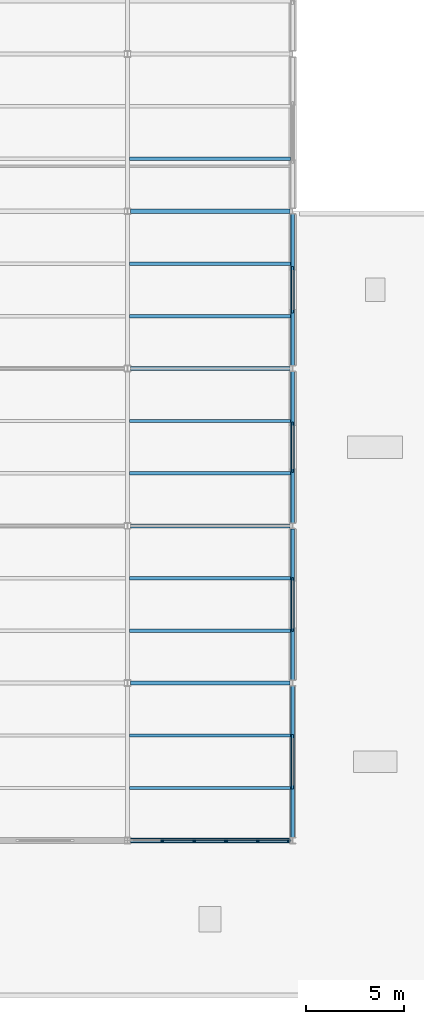
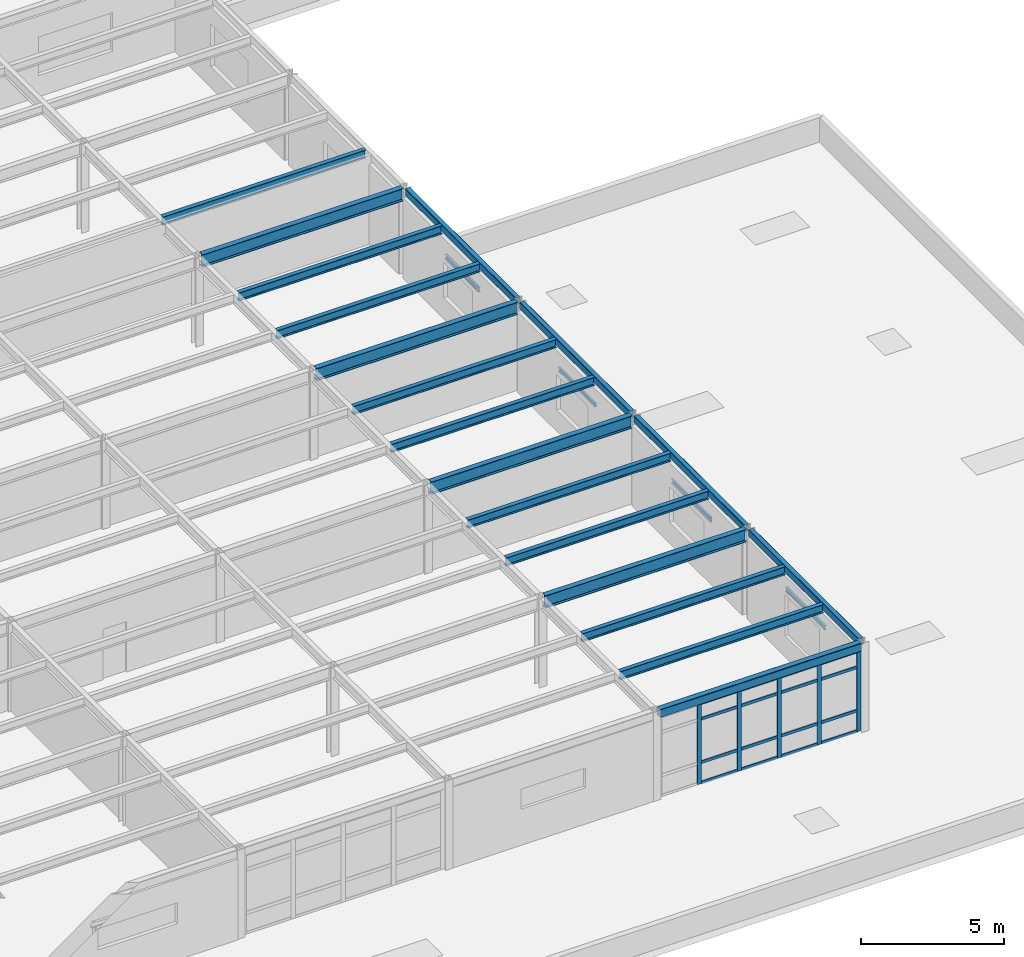
# One storey, part 50 of 138: 22 beams, 21 members, 1 element without a shape of its own.
"""IFC4 building model written with IfcOpenShell, lengths in metres."""

from ifc_helpers import new_model, si_unit, direction, frame, origin, origin_2d, place, context, subcontext, project, spatial, rectangle, hollow_rectangle, i_section, u_section, extrude, material, layer, layer_set, material_profile, profile_set, type_object, element, aggregate, save


model = new_model("IFC4")

# Units and contexts
model_context = context("Model", 3, precision=1e-05, world=origin(), true_north=direction((0.0, 1.0)))
body_context = subcontext(model_context, "Body", "Model", "MODEL_VIEW")
ifc_project = project(units=[si_unit("LENGTHUNIT", "METRE"), si_unit("AREAUNIT", "SQUARE_METRE"), si_unit("VOLUMEUNIT", "CUBIC_METRE"), si_unit("PLANEANGLEUNIT", "RADIAN"), si_unit("MASSUNIT", "GRAM", prefix="KILO")], contexts=[model_context])

# Site, building, storey
site_placement = place(None, origin())
site = spatial("IfcSite", under=ifc_project, at=site_placement, CompositionType="ELEMENT")
building_placement = place(site_placement, origin())
building = spatial("IfcBuilding", under=site, at=building_placement, Name="Kranzveld Transit Interchange", CompositionType="ELEMENT")
storey_placement = place(building_placement, frame((0.0, 0.0, 5.43994140625)))
storey = spatial("IfcBuildingStorey", under=building, at=storey_placement, Name="L01", CompositionType="ELEMENT", Elevation=5.43994140625)

# Curtain wall, members
ifc_material_1 = material(Name="Bronze-anodised thermally broken aluminium", Category="aluminium")
ifc_layer = layer(ifc_material_1, 0.1650390625)
ifc_layer_set = layer_set([ifc_layer], Name="Bronze-anodised thermally broken aluminium")
curtain_wall_type = type_object("IfcCurtainWallType", Name="Sunny Court Arcade Curtain Wall CW-2", PredefinedType="USERDEFINED", material=ifc_layer_set)
curtain_wall_placement = place(storey_placement, origin())
curtain_wall = element("IfcCurtainWall", 1, at=curtain_wall_placement, inside=storey, type_object=curtain_wall_type, Name="L01 Curtain Wall 16/B-17/B", ObjectType="CURTAIN WALL", PredefinedType="USERDEFINED")
ifc_material_2 = material(Name="Bronze-anodised thermally broken aluminium", Category="aluminium")
ifc_material_profile_1 = material_profile(ifc_material_2, rectangle(XDim=0.06494140625, YDim=0.1650390625, at=origin_2d()), Name="ALU MULLION 65x165")
ifc_profile_set_1 = profile_set([ifc_material_profile_1], Name="Bronze-anodised thermally broken aluminium")
member_type_1 = type_object("IfcMemberType", Name="Curtain Wall Mullion 65x165 Alu", PredefinedType="MULLION", material=ifc_profile_set_1)
member_1_placement = place(storey_placement, frame((127.772705078125, 8.0, 0.0), z_axis=(0.0, 0.0, 1.0), x_axis=(0.0, 1.0, 0.0)))
member_1 = element("IfcMember", 2, at=member_1_placement, type_object=member_type_1, Name="CW-2 mullion 2", PredefinedType="MULLION", context=body_context, shape_type="SweptSolid", body=[
    extrude(rectangle(XDim=0.06494140625, YDim=0.1650390625, at=origin_2d()), origin(), (0.0, 0.0, 1.0), 3.449951171875),
])
member_2_placement = place(storey_placement, frame((129.390869140625, 8.0, 0.0), z_axis=(0.0, 0.0, 1.0), x_axis=(0.0, 1.0, 0.0)))
member_2 = element("IfcMember", 3, at=member_2_placement, type_object=member_type_1, Name="CW-2 mullion 3", PredefinedType="MULLION", context=body_context, shape_type="SweptSolid", body=[
    extrude(rectangle(XDim=0.06494140625, YDim=0.1650390625, at=origin_2d()), origin(), (0.0, 0.0, 1.0), 3.449951171875),
])
member_3_placement = place(storey_placement, frame((131.009033203125, 8.0, 0.0), z_axis=(0.0, 0.0, 1.0), x_axis=(0.0, 1.0, 0.0)))
member_3 = element("IfcMember", 4, at=member_3_placement, type_object=member_type_1, Name="CW-2 mullion 4", PredefinedType="MULLION", context=body_context, shape_type="SweptSolid", body=[
    extrude(rectangle(XDim=0.06494140625, YDim=0.1650390625, at=origin_2d()), origin(), (0.0, 0.0, 1.0), 3.449951171875),
])
member_4_placement = place(storey_placement, frame((132.627197265625, 8.0, 0.0), z_axis=(0.0, 0.0, 1.0), x_axis=(0.0, 1.0, 0.0)))
member_4 = element("IfcMember", 5, at=member_4_placement, type_object=member_type_1, Name="CW-2 mullion 5", PredefinedType="MULLION", context=body_context, shape_type="SweptSolid", body=[
    extrude(rectangle(XDim=0.06494140625, YDim=0.1650390625, at=origin_2d()), origin(), (0.0, 0.0, 1.0), 3.449951171875),
])
member_5_placement = place(storey_placement, frame((134.212890625, 8.0, 0.0), z_axis=(0.0, 0.0, 1.0), x_axis=(0.0, 1.0, 0.0)))
member_5 = element("IfcMember", 6, at=member_5_placement, type_object=member_type_1, Name="CW-2 mullion 6", PredefinedType="MULLION", context=body_context, shape_type="SweptSolid", body=[
    extrude(rectangle(XDim=0.06494140625, YDim=0.1650390625, at=origin_2d()), origin(), (0.0, 0.0, 1.0), 3.449951171875),
])
ifc_material_3 = material(Name="Bronze-anodised thermally broken aluminium", Category="aluminium")
ifc_material_profile_2 = material_profile(ifc_material_3, rectangle(XDim=0.06005859375, YDim=0.125, at=origin_2d()), Name="ALU TRANSOM 60x125")
ifc_profile_set_2 = profile_set([ifc_material_profile_2], Name="Bronze-anodised thermally broken aluminium")
member_type_2 = type_object("IfcMemberType", Name="Curtain Wall Transom 60x125 Alu", PredefinedType="USERDEFINED", material=ifc_profile_set_2)
member_6_placement = place(storey_placement, frame((127.80517578125, 8.0, 0.030029296875), z_axis=(1.0, 0.0, 0.0), x_axis=(0.0, 1.0, 0.0)))
member_6 = element("IfcMember", 7, at=member_6_placement, type_object=member_type_2, Name="CW-2 transom 2.1", ObjectType="TRANSOM", PredefinedType="USERDEFINED", context=body_context, shape_type="SweptSolid", body=[
    extrude(rectangle(XDim=0.06005859375, YDim=0.125, at=origin_2d()), origin(), (0.0, 0.0, 1.0), 1.55322265625),
])
member_7_placement = place(storey_placement, frame((127.80517578125, 8.0, 0.900146484375), z_axis=(1.0, 0.0, 0.0), x_axis=(0.0, 1.0, 0.0)))
member_7 = element("IfcMember", 8, at=member_7_placement, type_object=member_type_2, Name="CW-2 transom 2.2", ObjectType="TRANSOM", PredefinedType="USERDEFINED", context=body_context, shape_type="SweptSolid", body=[
    extrude(rectangle(XDim=0.06005859375, YDim=0.125, at=origin_2d()), origin(), (0.0, 0.0, 1.0), 1.55322265625),
])
member_8_placement = place(storey_placement, frame((127.80517578125, 8.0, 2.75), z_axis=(1.0, 0.0, 0.0), x_axis=(0.0, 1.0, 0.0)))
member_8 = element("IfcMember", 9, at=member_8_placement, type_object=member_type_2, Name="CW-2 transom 2.3", ObjectType="TRANSOM", PredefinedType="USERDEFINED", context=body_context, shape_type="SweptSolid", body=[
    extrude(rectangle(XDim=0.06005859375, YDim=0.125, at=origin_2d()), origin(), (0.0, 0.0, 1.0), 1.55322265625),
])
member_9_placement = place(storey_placement, frame((127.80517578125, 8.0, 3.420166015625), z_axis=(1.0, 0.0, 0.0), x_axis=(0.0, 1.0, 0.0)))
member_9 = element("IfcMember", 10, at=member_9_placement, type_object=member_type_2, Name="CW-2 transom 2.4", ObjectType="TRANSOM", PredefinedType="USERDEFINED", context=body_context, shape_type="SweptSolid", body=[
    extrude(rectangle(XDim=0.06005859375, YDim=0.125, at=origin_2d()), origin(), (0.0, 0.0, 1.0), 1.55322265625),
])
member_10_placement = place(storey_placement, frame((129.42333984375, 8.0, 0.030029296875), z_axis=(1.0, 0.0, 0.0), x_axis=(0.0, 1.0, 0.0)))
member_10 = element("IfcMember", 11, at=member_10_placement, type_object=member_type_2, Name="CW-2 transom 3.1", ObjectType="TRANSOM", PredefinedType="USERDEFINED", context=body_context, shape_type="SweptSolid", body=[
    extrude(rectangle(XDim=0.06005859375, YDim=0.125, at=origin_2d()), origin(), (0.0, 0.0, 1.0), 1.55322265625),
])
member_11_placement = place(storey_placement, frame((129.42333984375, 8.0, 0.900146484375), z_axis=(1.0, 0.0, 0.0), x_axis=(0.0, 1.0, 0.0)))
member_11 = element("IfcMember", 12, at=member_11_placement, type_object=member_type_2, Name="CW-2 transom 3.2", ObjectType="TRANSOM", PredefinedType="USERDEFINED", context=body_context, shape_type="SweptSolid", body=[
    extrude(rectangle(XDim=0.06005859375, YDim=0.125, at=origin_2d()), origin(), (0.0, 0.0, 1.0), 1.55322265625),
])
member_12_placement = place(storey_placement, frame((129.42333984375, 8.0, 2.75), z_axis=(1.0, 0.0, 0.0), x_axis=(0.0, 1.0, 0.0)))
member_12 = element("IfcMember", 13, at=member_12_placement, type_object=member_type_2, Name="CW-2 transom 3.3", ObjectType="TRANSOM", PredefinedType="USERDEFINED", context=body_context, shape_type="SweptSolid", body=[
    extrude(rectangle(XDim=0.06005859375, YDim=0.125, at=origin_2d()), origin(), (0.0, 0.0, 1.0), 1.55322265625),
])
member_13_placement = place(storey_placement, frame((129.42333984375, 8.0, 3.420166015625), z_axis=(1.0, 0.0, 0.0), x_axis=(0.0, 1.0, 0.0)))
member_13 = element("IfcMember", 14, at=member_13_placement, type_object=member_type_2, Name="CW-2 transom 3.4", ObjectType="TRANSOM", PredefinedType="USERDEFINED", context=body_context, shape_type="SweptSolid", body=[
    extrude(rectangle(XDim=0.06005859375, YDim=0.125, at=origin_2d()), origin(), (0.0, 0.0, 1.0), 1.55322265625),
])
member_14_placement = place(storey_placement, frame((131.04150390625, 8.0, 0.030029296875), z_axis=(1.0, 0.0, 0.0), x_axis=(0.0, 1.0, 0.0)))
member_14 = element("IfcMember", 15, at=member_14_placement, type_object=member_type_2, Name="CW-2 transom 4.1", ObjectType="TRANSOM", PredefinedType="USERDEFINED", context=body_context, shape_type="SweptSolid", body=[
    extrude(rectangle(XDim=0.06005859375, YDim=0.125, at=origin_2d()), origin(), (0.0, 0.0, 1.0), 1.55322265625),
])
member_15_placement = place(storey_placement, frame((131.04150390625, 8.0, 0.900146484375), z_axis=(1.0, 0.0, 0.0), x_axis=(0.0, 1.0, 0.0)))
member_15 = element("IfcMember", 16, at=member_15_placement, type_object=member_type_2, Name="CW-2 transom 4.2", ObjectType="TRANSOM", PredefinedType="USERDEFINED", context=body_context, shape_type="SweptSolid", body=[
    extrude(rectangle(XDim=0.06005859375, YDim=0.125, at=origin_2d()), origin(), (0.0, 0.0, 1.0), 1.55322265625),
])
member_16_placement = place(storey_placement, frame((131.04150390625, 8.0, 2.75), z_axis=(1.0, 0.0, 0.0), x_axis=(0.0, 1.0, 0.0)))
member_16 = element("IfcMember", 17, at=member_16_placement, type_object=member_type_2, Name="CW-2 transom 4.3", ObjectType="TRANSOM", PredefinedType="USERDEFINED", context=body_context, shape_type="SweptSolid", body=[
    extrude(rectangle(XDim=0.06005859375, YDim=0.125, at=origin_2d()), origin(), (0.0, 0.0, 1.0), 1.55322265625),
])
member_17_placement = place(storey_placement, frame((131.04150390625, 8.0, 3.420166015625), z_axis=(1.0, 0.0, 0.0), x_axis=(0.0, 1.0, 0.0)))
member_17 = element("IfcMember", 18, at=member_17_placement, type_object=member_type_2, Name="CW-2 transom 4.4", ObjectType="TRANSOM", PredefinedType="USERDEFINED", context=body_context, shape_type="SweptSolid", body=[
    extrude(rectangle(XDim=0.06005859375, YDim=0.125, at=origin_2d()), origin(), (0.0, 0.0, 1.0), 1.55322265625),
])
member_18_placement = place(storey_placement, frame((132.65966796875, 8.0, 0.030029296875), z_axis=(1.0, 0.0, 0.0), x_axis=(0.0, 1.0, 0.0)))
member_18 = element("IfcMember", 19, at=member_18_placement, type_object=member_type_2, Name="CW-2 transom 5.1", ObjectType="TRANSOM", PredefinedType="USERDEFINED", context=body_context, shape_type="SweptSolid", body=[
    extrude(rectangle(XDim=0.06005859375, YDim=0.125, at=origin_2d()), origin(), (0.0, 0.0, 1.0), 1.520751953125),
])
member_19_placement = place(storey_placement, frame((132.65966796875, 8.0, 0.900146484375), z_axis=(1.0, 0.0, 0.0), x_axis=(0.0, 1.0, 0.0)))
member_19 = element("IfcMember", 20, at=member_19_placement, type_object=member_type_2, Name="CW-2 transom 5.2", ObjectType="TRANSOM", PredefinedType="USERDEFINED", context=body_context, shape_type="SweptSolid", body=[
    extrude(rectangle(XDim=0.06005859375, YDim=0.125, at=origin_2d()), origin(), (0.0, 0.0, 1.0), 1.520751953125),
])
member_20_placement = place(storey_placement, frame((132.65966796875, 8.0, 2.75), z_axis=(1.0, 0.0, 0.0), x_axis=(0.0, 1.0, 0.0)))
member_20 = element("IfcMember", 21, at=member_20_placement, type_object=member_type_2, Name="CW-2 transom 5.3", ObjectType="TRANSOM", PredefinedType="USERDEFINED", context=body_context, shape_type="SweptSolid", body=[
    extrude(rectangle(XDim=0.06005859375, YDim=0.125, at=origin_2d()), origin(), (0.0, 0.0, 1.0), 1.520751953125),
])
member_21_placement = place(storey_placement, frame((132.65966796875, 8.0, 3.420166015625), z_axis=(1.0, 0.0, 0.0), x_axis=(0.0, 1.0, 0.0)))
member_21 = element("IfcMember", 22, at=member_21_placement, type_object=member_type_2, Name="CW-2 transom 5.4", ObjectType="TRANSOM", PredefinedType="USERDEFINED", context=body_context, shape_type="SweptSolid", body=[
    extrude(rectangle(XDim=0.06005859375, YDim=0.125, at=origin_2d()), origin(), (0.0, 0.0, 1.0), 1.520751953125),
])
aggregate(curtain_wall, [member_1, member_2, member_3, member_4, member_5, member_6, member_7, member_8, member_9, member_10, member_11, member_12, member_13, member_14, member_15, member_16, member_17, member_18, member_19, member_20, member_21])

# Beams
ifc_material_4 = material(Name="Steel S355JR", Category="steel")
ifc_material_profile_3 = material_profile(ifc_material_4, hollow_rectangle(XDim=0.199951171875, YDim=0.300048828125, WallThickness=0.010009765625, InnerFilletRadius=0.014892578125, OuterFilletRadius=0.02490234375, at=origin_2d()), Name="RHS 300x200x10")
ifc_profile_set_3 = profile_set([ifc_material_profile_3], Name="Steel S355JR")
beam_type_1 = type_object("IfcBeamType", Name="Edge Spandrel RHS 300x200x10 S355JR", PredefinedType="SPANDREL", material=ifc_profile_set_3)
for number, where, z_axis, x_axis, name in (
    (23, (134.39990234375, 8.150146484375, 3.650146484375), (0.0, 1.0, 0.0), (-1.0, 0.0, 0.0), "L01 Girder 17/B-C"),
    (24, (134.39990234375, 16.150146484375, 3.650146484375), (0.0, 1.0, 0.0), (-1.0, 0.0, 0.0), "L01 Girder 17/C-D"),
    (25, (134.39990234375, 24.150146484375, 3.650146484375), (0.0, 1.0, 0.0), (-1.0, 0.0, 0.0), "L01 Girder 17/D-E"),
    (26, (134.39990234375, 32.150146484375, 3.650146484375), (0.0, 1.0, 0.0), (-1.0, 0.0, 0.0), "L01 Girder 17/E-F"),
):
    element("IfcBeam", number, at=place(storey_placement, frame(where, z_axis=z_axis, x_axis=x_axis)), inside=storey, type_object=beam_type_1, Name=name, PredefinedType="SPANDREL", context=body_context, shape_type="SweptSolid", body=[
        extrude(hollow_rectangle(XDim=0.199951171875, YDim=0.300048828125, WallThickness=0.010009765625, InnerFilletRadius=0.014892578125, OuterFilletRadius=0.02490234375, at=origin_2d()), origin(), (0.0, 0.0, 1.0), 7.69970703125),
    ])
ifc_material_5 = material(Name="Steel S355JR", Category="steel")
ifc_material_profile_4 = material_profile(ifc_material_5, hollow_rectangle(XDim=0.25, YDim=0.35009765625, WallThickness=0.012451171875, InnerFilletRadius=0.018798828125, OuterFilletRadius=0.03125, at=origin_2d()), Name="RHS 350x250x12.5")
ifc_profile_set_4 = profile_set([ifc_material_profile_4], Name="Steel S355JR")
beam_type_2 = type_object("IfcBeamType", Name="Edge Spandrel RHS 350x250x12.5 S355JR", PredefinedType="SPANDREL", material=ifc_profile_set_4)
beam_1_placement = place(storey_placement, frame((126.14453125, 8.0, 3.625), z_axis=(1.0, 0.0, 0.0), x_axis=(0.0, 1.0, 0.0)))
element("IfcBeam", 27, at=beam_1_placement, inside=storey, type_object=beam_type_2, Name="L01 Girder 16-17/B", PredefinedType="SPANDREL", context=body_context, shape_type="SweptSolid", body=[
    extrude(hollow_rectangle(XDim=0.25, YDim=0.35009765625, WallThickness=0.012451171875, InnerFilletRadius=0.018798828125, OuterFilletRadius=0.03125, at=origin_2d()), origin(), (0.0, 0.0, 1.0), 8.11083984375),
])
ifc_material_6 = material(Name="Steel S355JR", Category="steel")
ifc_material_profile_5 = material_profile(ifc_material_6, i_section(OverallWidth=0.172119140625, OverallDepth=0.35791015625, WebThickness=0.008056640625, FlangeThickness=0.012939453125, FilletRadius=0.01025390625, at=origin_2d()), Name="UB 356x171x57")
ifc_profile_set_5 = profile_set([ifc_material_profile_5], Name="Steel S355JR")
beam_type_3 = type_object("IfcBeamType", Name="Floor Joist UB 356x171x57 S355JR", PredefinedType="JOIST", material=ifc_profile_set_5)
for number, where, z_axis, x_axis, name in (
    (28, (126.097900390625, 10.666748046875, 3.62109375), (1.0, 0.0, 0.0), (0.0, 1.0, 0.0), "L01 Secondary Joist 16-17/B.1"),
    (29, (126.097900390625, 13.333251953125, 3.62109375), (1.0, 0.0, 0.0), (0.0, 1.0, 0.0), "L01 Secondary Joist 16-17/B.2"),
    (30, (126.097900390625, 18.666748046875, 3.62109375), (1.0, 0.0, 0.0), (0.0, 1.0, 0.0), "L01 Secondary Joist 16-17/C.1"),
    (31, (126.097900390625, 21.333251953125, 3.62109375), (1.0, 0.0, 0.0), (0.0, 1.0, 0.0), "L01 Secondary Joist 16-17/C.2"),
    (32, (126.097900390625, 26.666748046875, 3.62109375), (1.0, 0.0, 0.0), (0.0, 1.0, 0.0), "L01 Secondary Joist 16-17/D.1"),
    (33, (126.097900390625, 29.333251953125, 3.62109375), (1.0, 0.0, 0.0), (0.0, 1.0, 0.0), "L01 Secondary Joist 16-17/D.2"),
    (34, (126.097900390625, 34.666748046875, 3.62109375), (1.0, 0.0, 0.0), (0.0, 1.0, 0.0), "L01 Secondary Joist 16-17/E.1"),
    (35, (126.097900390625, 37.333251953125, 3.62109375), (1.0, 0.0, 0.0), (0.0, 1.0, 0.0), "L01 Secondary Joist 16-17/E.2"),
    (36, (126.097900390625, 42.666748046875, 3.62109375), (1.0, 0.0, 0.0), (0.0, 1.0, 0.0), "L01 Secondary Joist 16-17/F.1"),
):
    element("IfcBeam", number, at=place(storey_placement, frame(where, z_axis=z_axis, x_axis=x_axis)), inside=storey, type_object=beam_type_3, Name=name, PredefinedType="JOIST", context=body_context, shape_type="SweptSolid", body=[
        extrude(i_section(OverallWidth=0.172119140625, OverallDepth=0.35791015625, WebThickness=0.008056640625, FlangeThickness=0.012939453125, FilletRadius=0.01025390625, at=origin_2d()), origin(), (0.0, 0.0, 1.0), 8.2001953125),
    ])
ifc_material_7 = material(Name="Steel S355JR", Category="steel")
ifc_material_profile_6 = material_profile(ifc_material_7, i_section(OverallWidth=0.210693359375, OverallDepth=0.53955078125, WebThickness=0.01171875, FlangeThickness=0.018798828125, FilletRadius=0.0126953125, at=origin_2d()), Name="UB 533x210x109")
ifc_profile_set_6 = profile_set([ifc_material_profile_6], Name="Steel S355JR")
beam_type_4 = type_object("IfcBeamType", Name="Girder Steel UB 533x210x109 S355JR", PredefinedType="BEAM", material=ifc_profile_set_6)
for number, where, z_axis, x_axis, name in (
    (37, (126.14453125, 16.0, 3.5302734375), (1.0, 0.0, 0.0), (0.0, 1.0, 0.0), "L01 Girder 16-17/C"),
    (38, (126.14453125, 24.0, 3.5302734375), (1.0, 0.0, 0.0), (0.0, 1.0, 0.0), "L01 Girder 16-17/D"),
    (39, (126.14453125, 32.0, 3.5302734375), (1.0, 0.0, 0.0), (0.0, 1.0, 0.0), "L01 Girder 16-17/E"),
    (40, (126.14453125, 40.0, 3.5302734375), (1.0, 0.0, 0.0), (0.0, 1.0, 0.0), "L01 Girder 16-17/F"),
):
    element("IfcBeam", number, at=place(storey_placement, frame(where, z_axis=z_axis, x_axis=x_axis)), inside=storey, type_object=beam_type_4, Name=name, PredefinedType="BEAM", context=body_context, shape_type="SweptSolid", body=[
        extrude(i_section(OverallWidth=0.210693359375, OverallDepth=0.53955078125, WebThickness=0.01171875, FlangeThickness=0.018798828125, FilletRadius=0.0126953125, at=origin_2d()), origin(), (0.0, 0.0, 1.0), 8.11083984375),
    ])
ifc_material_8 = material(Name="Steel S355JR", Category="steel")
ifc_material_profile_7 = material_profile(ifc_material_8, u_section(Depth=0.179931640625, FlangeWidth=0.070068359375, WebThickness=0.007080078125, FlangeThickness=0.010986328125, FilletRadius=0.010009765625, at=origin_2d()), Name="PFC 180x70x22")
ifc_profile_set_7 = profile_set([ifc_material_profile_7], Name="Steel S355JR")
beam_type_5 = type_object("IfcBeamType", Name="Masonry Lintel PFC 180x70x22 S355JR", PredefinedType="LINTEL", material=ifc_profile_set_7)
beam_2_placement = place(storey_placement, frame((134.39990234375, 26.719970703125, 2.4951171875), z_axis=(0.0, 1.0, 0.0), x_axis=(-1.0, 0.0, 0.0)))
element("IfcBeam", 41, at=beam_2_placement, inside=storey, type_object=beam_type_5, Name="L01 Window Lintel 109", PredefinedType="LINTEL", context=body_context, shape_type="SweptSolid", body=[
    extrude(u_section(Depth=0.179931640625, FlangeWidth=0.070068359375, WebThickness=0.007080078125, FlangeThickness=0.010986328125, FilletRadius=0.010009765625, at=origin_2d()), origin(), (0.0, 0.0, 1.0), 2.56005859375),
])
ifc_material_9 = material(Name="Steel S355JR", Category="steel")
ifc_material_profile_8 = material_profile(ifc_material_9, u_section(Depth=0.199951171875, FlangeWidth=0.074951171875, WebThickness=0.006103515625, FlangeThickness=0.012451171875, FilletRadius=0.011962890625, at=origin_2d()), Name="PFC 200x75x23")
ifc_profile_set_8 = profile_set([ifc_material_profile_8], Name="Steel S355JR")
beam_type_6 = type_object("IfcBeamType", Name="Masonry Lintel PFC 200x75x23 S355JR", PredefinedType="LINTEL", material=ifc_profile_set_8)
beam_3_placement = place(storey_placement, frame((134.39990234375, 18.6201171875, 2.505126953125), z_axis=(0.0, 1.0, 0.0), x_axis=(-1.0, 0.0, 0.0)))
element("IfcBeam", 42, at=beam_3_placement, inside=storey, type_object=beam_type_6, Name="L01 Window Lintel 108", PredefinedType="LINTEL", context=body_context, shape_type="SweptSolid", body=[
    extrude(u_section(Depth=0.199951171875, FlangeWidth=0.074951171875, WebThickness=0.006103515625, FlangeThickness=0.012451171875, FilletRadius=0.011962890625, at=origin_2d()), origin(), (0.0, 0.0, 1.0), 2.759765625),
])
ifc_material_10 = material(Name="Steel S355JR", Category="steel")
ifc_material_profile_9 = material_profile(ifc_material_10, i_section(OverallWidth=0.091064453125, OverallDepth=0.179931640625, WebThickness=0.00537109375, FlangeThickness=0.008056640625, FilletRadius=0.009033203125, at=origin_2d()), Name="IPE 180")
ifc_profile_set_9 = profile_set([ifc_material_profile_9], Name="Steel S355JR")
beam_type_7 = type_object("IfcBeamType", Name="Opening Lintel IPE 180 S355JR", PredefinedType="LINTEL", material=ifc_profile_set_9)
beam_4_placement = place(storey_placement, frame((134.39990234375, 10.6201171875, 2.7451171875), z_axis=(0.0, 1.0, 0.0), x_axis=(-1.0, 0.0, 0.0)))
element("IfcBeam", 43, at=beam_4_placement, inside=storey, type_object=beam_type_7, Name="L01 Window Lintel 107", PredefinedType="LINTEL", context=body_context, shape_type="SweptSolid", body=[
    extrude(i_section(OverallWidth=0.091064453125, OverallDepth=0.179931640625, WebThickness=0.00537109375, FlangeThickness=0.008056640625, FilletRadius=0.009033203125, at=origin_2d()), origin(), (0.0, 0.0, 1.0), 2.759765625),
])
ifc_material_11 = material(Name="Steel S355JR", Category="steel")
ifc_material_profile_10 = material_profile(ifc_material_11, i_section(OverallWidth=0.10009765625, OverallDepth=0.199951171875, WebThickness=0.005615234375, FlangeThickness=0.008544921875, FilletRadius=0.011962890625, at=origin_2d()), Name="IPE 200")
ifc_profile_set_10 = profile_set([ifc_material_profile_10], Name="Steel S355JR")
beam_type_8 = type_object("IfcBeamType", Name="Opening Lintel IPE 200 S355JR", PredefinedType="LINTEL", material=ifc_profile_set_10)
beam_5_placement = place(storey_placement, frame((134.39990234375, 34.820068359375, 2.505126953125), z_axis=(0.0, 1.0, 0.0), x_axis=(-1.0, 0.0, 0.0)))
element("IfcBeam", 44, at=beam_5_placement, inside=storey, type_object=beam_type_8, Name="L01 Window Lintel 110", PredefinedType="LINTEL", context=body_context, shape_type="SweptSolid", body=[
    extrude(i_section(OverallWidth=0.10009765625, OverallDepth=0.199951171875, WebThickness=0.005615234375, FlangeThickness=0.008544921875, FilletRadius=0.011962890625, at=origin_2d()), origin(), (0.0, 0.0, 1.0), 2.35986328125),
])

save(model, "model.ifc")
